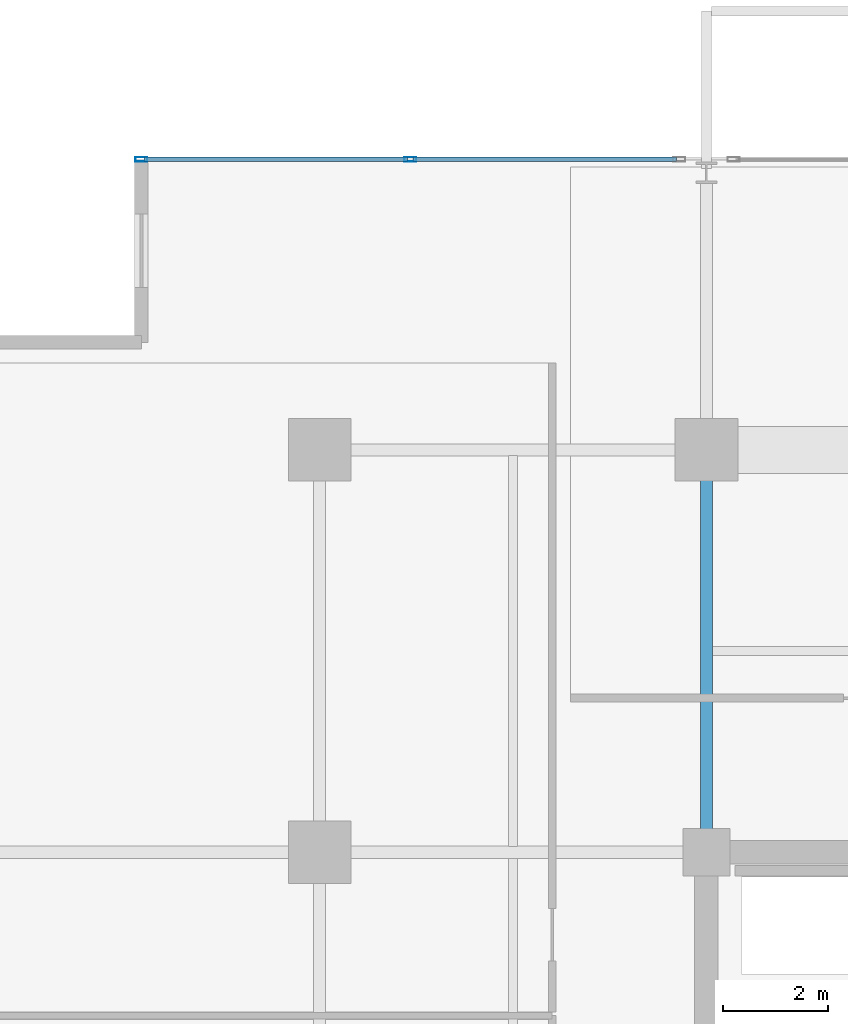
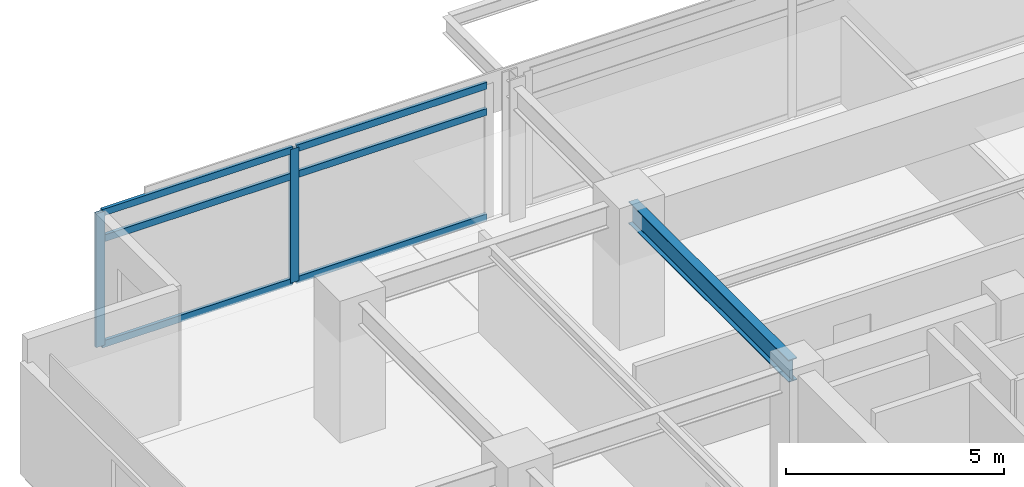
# One storey, part 7 of 20: 8 members, 1 beam, 1 element without a shape of its own.
"""IFC4 building model written with IfcOpenShell, lengths in metres."""

import ifcopenshell
import ifcopenshell.guid

model = None  # the IFC model being written
_history = None  # IfcOwnerHistory: only IFC2X3 demands one
_inside = {}  # id of a spatial element -> (the spatial element, [elements in it])
_under = {}  # id of a project, library or spatial element -> (it, [spatial elements below it])
_declared = {}  # id of a project -> (the project, [libraries it declares])
_typed = {}  # id of a type object -> (the type object, [elements of that type])
_made_of = {}  # id of a material, layer set ... -> (it, [elements and type objects made of it])


def new_model(schema):
    """Start an empty IFC model of exactly this schema.

    Asked for "IFC4X3", IfcOpenShell would pick the latest addendum, in which some entities
    have other attributes; the version numbers below select the first issue.
    IFC2X3 requires an IfcOwnerHistory on every rooted entity: one is made here for all.
    """
    global model, _history
    if schema == "IFC4X3":
        model = ifcopenshell.file(schema_version=(4, 3, 0, 0))
    else:
        model = ifcopenshell.file(schema=schema)
    _inside.clear()
    _under.clear()
    _declared.clear()
    _typed.clear()
    _made_of.clear()
    _history = None
    if model.schema == "IFC2X3":
        org = make("IfcOrganization", Name="unknown")
        user = make(
            "IfcPersonAndOrganization",
            ThePerson=make("IfcPerson", FamilyName="unknown"),
            TheOrganization=org,
        )
        app = make(
            "IfcApplication",
            ApplicationDeveloper=org,
            Version="unknown",
            ApplicationFullName="unknown",
            ApplicationIdentifier="unknown",
        )
        _history = make(
            "IfcOwnerHistory",
            OwningUser=user,
            OwningApplication=app,
            ChangeAction="ADDED",
            CreationDate=0,
        )
    return model


def make(cls, **values):
    """One entity of the class cls with the attributes given. An attribute that is None is left unset."""
    return model.create_entity(
        cls, **{name: value for name, value in values.items() if value is not None}
    )


def rooted(cls, **values):
    """An entity with a GlobalId (a new one), such as an element, a storey or a relation."""
    return make(cls, GlobalId=ifcopenshell.guid.new(), OwnerHistory=_history, **values)


def si_unit(unit_type, name, prefix=None):
    """IfcSIUnit, for example si_unit("LENGTHUNIT", "METRE", prefix="MILLI")."""
    return make("IfcSIUnit", UnitType=unit_type, Prefix=prefix, Name=name)


def assignment(units):
    """IfcUnitAssignment: the units of a project."""
    return None if units is None else make("IfcUnitAssignment", Units=units)


def point(xyz):
    """IfcCartesianPoint."""
    return None if xyz is None else make("IfcCartesianPoint", Coordinates=xyz)


def direction(xyz):
    """IfcDirection."""
    return None if xyz is None else make("IfcDirection", DirectionRatios=xyz)


def frame(location, z_axis=None, x_axis=None):
    """IfcAxis2Placement3D, a coordinate frame: its origin and axes. An axis left out is left unset."""
    return make(
        "IfcAxis2Placement3D",
        Location=point(location),
        Axis=direction(z_axis),
        RefDirection=direction(x_axis),
    )


def frame_2d(location, x_axis=None):
    """IfcAxis2Placement2D, a coordinate frame in the plane: its origin and x axis."""
    return make(
        "IfcAxis2Placement2D", Location=point(location), RefDirection=direction(x_axis)
    )


def origin():
    """The frame at (0, 0, 0) with its axes left unset."""
    return frame((0.0, 0.0, 0.0))


def origin_2d():
    """The frame at (0, 0) in the plane with its x axis left unset."""
    return frame_2d((0.0, 0.0))


def place(relative_to, where):
    """IfcLocalPlacement: puts the frame where relative to a parent placement (None: the world)."""
    return make(
        "IfcLocalPlacement", PlacementRelTo=relative_to, RelativePlacement=where
    )


def context(
    kind, dimensions, precision=None, world=None, true_north=None, identifier=None
):
    """IfcGeometricRepresentationContext, for example the 3D "Model" context."""
    return make(
        "IfcGeometricRepresentationContext",
        ContextIdentifier=identifier,
        ContextType=kind,
        CoordinateSpaceDimension=dimensions,
        Precision=precision,
        WorldCoordinateSystem=world,
        TrueNorth=true_north,
    )


def subcontext(parent, identifier, kind, view, scale=None):
    """IfcGeometricRepresentationSubContext, for example "Body" below "Model"."""
    return make(
        "IfcGeometricRepresentationSubContext",
        ContextIdentifier=identifier,
        ContextType=kind,
        ParentContext=parent,
        TargetScale=scale,
        TargetView=view,
    )


def project(units=None, contexts=None):
    """IfcProject with its units and contexts."""
    return rooted(
        "IfcProject",
        Name="project",
        RepresentationContexts=contexts,
        UnitsInContext=assignment(units),
    )


def spatial(cls, under=None, at=None, **own):
    """A site, building, storey or space (cls), placed at a placement, below another one or the project."""
    s = rooted(cls, ObjectPlacement=at, **own)
    if under is not None:
        _under.setdefault(under.id(), (under, []))[1].append(s)
    return s


def profile(cls, at=None, kind="AREA", **sizes):
    """A parametric profile (cls). Its sizes go by their IFC names, for example OverallWidth=200.0."""
    return make(cls, ProfileType=kind, Position=at, **sizes)


def hollow_rectangle(**sizes):
    """IfcRectangleHollowProfileDef."""
    return profile("IfcRectangleHollowProfileDef", **sizes)


def i_section(**sizes):
    """IfcIShapeProfileDef."""
    return profile("IfcIShapeProfileDef", **sizes)


def extrude(swept, where, along, depth):
    """IfcExtrudedAreaSolid: the profile swept, set in the frame where, extruded along a direction by depth."""
    return make(
        "IfcExtrudedAreaSolid",
        SweptArea=swept,
        Position=where,
        ExtrudedDirection=direction(along),
        Depth=depth,
    )


def shape(context_of_items, identifier, shape_type, items):
    """IfcShapeRepresentation: the items that make up one representation, for example the "Body"."""
    return make(
        "IfcShapeRepresentation",
        ContextOfItems=context_of_items,
        RepresentationIdentifier=identifier,
        RepresentationType=shape_type,
        Items=items,
    )


def material(Name=None, Category=None):
    """IfcMaterial."""
    return make("IfcMaterial", Name=Name, Category=Category)


def material_profile(
    of_material, cross_section, Name=None, Category=None, Priority=None
):
    """IfcMaterialProfile: a cross section and its material."""
    return make(
        "IfcMaterialProfile",
        Name=Name,
        Material=of_material,
        Profile=cross_section,
        Priority=Priority,
        Category=Category,
    )


def profile_set(profiles, Name=None, composite=None):
    """IfcMaterialProfileSet."""
    return make(
        "IfcMaterialProfileSet",
        Name=Name,
        MaterialProfiles=profiles,
        CompositeProfile=composite,
    )


def made_of(thing, what):
    """Note that an element or type object is made of a material, layer set ...; save() writes the relation."""
    if what is not None:
        _made_of.setdefault(what.id(), (what, []))[1].append(thing)
    return thing


def type_object(cls, material=None, **own):
    """A type object (cls), such as IfcWallType, which elements share."""
    return made_of(rooted(cls, **own), material)


def element(
    cls,
    number,
    at=None,
    inside=None,
    cuts=None,
    type_object=None,
    material=None,
    context=None,
    identifier="Body",
    shape_type=None,
    held_by="IfcProductDefinitionShape",
    body=None,
    shapes=None,
    **own,
):
    """One element of the class cls, such as IfcWall. Its Tag is "e" and its number.

    at: its placement. inside: the storey or other place that contains it. cuts: it is an
    opening in that element (IfcRelVoidsElement). A single representation is given by context,
    identifier, shape_type and body (its items); several are given by shapes. held_by: the class
    of the entity that holds the representations. save() writes the other relations.
    """
    e = rooted(cls, Tag="e%d" % number, ObjectPlacement=at, **own)
    if body is not None:
        shapes = [shape(context, identifier, shape_type, body)]
    if shapes is not None:
        e.Representation = make(held_by, Representations=shapes)
    if inside is not None:
        _inside.setdefault(inside.id(), (inside, []))[1].append(e)
    if cuts is not None:
        rooted(
            "IfcRelVoidsElement", RelatingBuildingElement=cuts, RelatedOpeningElement=e
        )
    if type_object is not None:
        _typed.setdefault(type_object.id(), (type_object, []))[1].append(e)
    return made_of(e, material)


def aggregate(whole, parts):
    """IfcRelAggregates: a whole, such as a stair, and the parts it consists of."""
    return rooted("IfcRelAggregates", RelatingObject=whole, RelatedObjects=parts)


def save(model, path):
    """Write the relations noted so far, then the file.

    IfcRelAggregates (storeys below a building ...), IfcRelContainedInSpatialStructure (elements
    in a storey), IfcRelDefinesByType, IfcRelAssociatesMaterial and IfcRelDeclares: one each for
    every whole, place, type object, material and project.
    """
    for whole, parts in _under.values():
        aggregate(whole, parts)
    for where, things in _inside.values():
        rooted(
            "IfcRelContainedInSpatialStructure",
            RelatedElements=things,
            RelatingStructure=where,
        )
    for kind, things in _typed.values():
        rooted("IfcRelDefinesByType", RelatedObjects=things, RelatingType=kind)
    for what, things in _made_of.values():
        rooted("IfcRelAssociatesMaterial", RelatedObjects=things, RelatingMaterial=what)
    for by, libraries in _declared.values():
        rooted("IfcRelDeclares", RelatingContext=by, RelatedDefinitions=libraries)
    model.write(path)


model = new_model("IFC4")

# Units and contexts
model_context = context("Model", 3, precision=1e-05, world=origin(), true_north=direction((0.0, 1.0)))
body_context = subcontext(model_context, "Body", "Model", "MODEL_VIEW")
ifc_project = project(units=[si_unit("LENGTHUNIT", "METRE"), si_unit("AREAUNIT", "SQUARE_METRE"), si_unit("VOLUMEUNIT", "CUBIC_METRE"), si_unit("PLANEANGLEUNIT", "RADIAN"), si_unit("MASSUNIT", "GRAM", prefix="KILO")], contexts=[model_context])

# Site, building, storey
site_placement = place(None, origin())
site = spatial("IfcSite", under=ifc_project, at=site_placement, CompositionType="ELEMENT")
building_placement = place(site_placement, origin())
building = spatial("IfcBuilding", under=site, at=building_placement, Name="Kovane Verandah Tower", CompositionType="ELEMENT")
storey_placement = place(building_placement, frame((0.0, 0.0, 279.199951171875)))
storey = spatial("IfcBuildingStorey", under=building, at=storey_placement, Name="L65", CompositionType="ELEMENT", Elevation=279.199951171875)

# Beam
ifc_material_1 = material(Name="Steel S355", Category="steel")
ifc_material_profile_1 = material_profile(ifc_material_1, i_section(OverallWidth=0.230224609375, OverallDepth=0.6171875, WebThickness=0.01318359375, FlangeThickness=0.022216796875, FilletRadius=0.0126953125, at=origin_2d()), Name="UB610x229x140")
ifc_profile_set_1 = profile_set([ifc_material_profile_1], Name="Steel S355")
beam_type = type_object("IfcBeamType", Name="BM-UB610x140", PredefinedType="BEAM", material=ifc_profile_set_1)
beam_placement = place(storey_placement, frame((29.0, 36.679931640625, 3.4765625), z_axis=(0.0, 1.0, 0.0), x_axis=(-1.0, 0.0, 0.0)))
element("IfcBeam", 1, at=beam_placement, inside=storey, type_object=beam_type, Name="L65 Primary Tower Girder G-N1", PredefinedType="BEAM", context=body_context, shape_type="SweptSolid", body=[
    extrude(i_section(OverallWidth=0.230224609375, OverallDepth=0.6171875, WebThickness=0.01318359375, FlangeThickness=0.022216796875, FilletRadius=0.0126953125, at=origin_2d()), origin(), (0.0, 0.0, 1.0), 7.340087890625),
])

# Curtain wall, members
ifc_material_2 = material(Name="Champagne Anodised Aluminium Frame with Low-E Clear Laminated Glass", Category="aluminium")
curtain_wall_type = type_object("IfcCurtainWallType", Name="CW-SYS-05-HIGH", PredefinedType="NOTDEFINED", material=ifc_material_2)
curtain_wall_placement = place(storey_placement, origin())
curtain_wall = element("IfcCurtainWall", 2, at=curtain_wall_placement, inside=storey, type_object=curtain_wall_type, Name="L65 N Unitised Curtain Wall-3", PredefinedType="NOTDEFINED")
ifc_material_3 = material(Name="Champagne Anodised Aluminium 6063-T6", Category="aluminium")
ifc_material_profile_2 = material_profile(ifc_material_3, hollow_rectangle(XDim=0.0849609375, YDim=0.22998046875, WallThickness=0.00390625, at=origin_2d()), Name="AL85x230x4")
ifc_profile_set_2 = profile_set([ifc_material_profile_2], Name="Champagne Anodised Aluminium 6063-T6")
member_type_1 = type_object("IfcMemberType", Name="CW-MUL-85x230", PredefinedType="MULLION", material=ifc_profile_set_2)
member_1_placement = place(storey_placement, frame((23.335205078125, 49.75634765625, 0.02001953125), z_axis=(0.0, 0.0, 1.0), x_axis=(0.0, 1.0, 0.0)))
member_1 = element("IfcMember", 3, at=member_1_placement, type_object=member_type_1, Name="L65 N Unitised Curtain Wall-3 Mullion 2", PredefinedType="MULLION", context=body_context, shape_type="SweptSolid", body=[
    extrude(hollow_rectangle(XDim=0.0849609375, YDim=0.22998046875, WallThickness=0.00390625, at=origin_2d()), origin(), (0.0, 0.0, 1.0), 3.7451171875),
])
member_2_placement = place(storey_placement, frame((18.190185546875, 49.75634765625, 0.02001953125), z_axis=(0.0, 0.0, 1.0), x_axis=(0.0, 1.0, 0.0)))
member_2 = element("IfcMember", 4, at=member_2_placement, type_object=member_type_1, Name="L65 N Unitised Curtain Wall-3 Mullion 3", PredefinedType="MULLION", context=body_context, shape_type="SweptSolid", body=[
    extrude(hollow_rectangle(XDim=0.0849609375, YDim=0.22998046875, WallThickness=0.00390625, at=origin_2d()), origin(), (0.0, 0.0, 1.0), 3.7451171875),
])
ifc_material_profile_3 = material_profile(ifc_material_3, hollow_rectangle(XDim=0.0849609375, YDim=0.18994140625, WallThickness=0.00390625, at=origin_2d()), Name="AL85x190x4")
ifc_profile_set_3 = profile_set([ifc_material_profile_3], Name="Champagne Anodised Aluminium 6063-T6")
member_type_2 = type_object("IfcMemberType", Name="CW-TRN-85x190", PredefinedType="USERDEFINED", material=ifc_profile_set_3)
member_3_placement = place(storey_placement, frame((28.429931640625, 49.75634765625, 0.050048828125), z_axis=(-1.0, 0.0, 0.0), x_axis=(0.0, -1.0, 0.0)))
member_3 = element("IfcMember", 5, at=member_3_placement, type_object=member_type_2, Name="L65 N Unitised Curtain Wall-3 Transom TB Bay 1", ObjectType="TRANSOM", PredefinedType="USERDEFINED", context=body_context, shape_type="SweptSolid", body=[
    extrude(hollow_rectangle(XDim=0.0849609375, YDim=0.18994140625, WallThickness=0.00390625, at=origin_2d()), origin(), (0.0, 0.0, 1.0), 5.044921875),
])
member_4_placement = place(storey_placement, frame((28.429931640625, 49.75634765625, 3.005126953125), z_axis=(-1.0, 0.0, 0.0), x_axis=(0.0, -1.0, 0.0)))
member_4 = element("IfcMember", 6, at=member_4_placement, type_object=member_type_2, Name="L65 N Unitised Curtain Wall-3 Transom TM Bay 1", ObjectType="TRANSOM", PredefinedType="USERDEFINED", context=body_context, shape_type="SweptSolid", body=[
    extrude(hollow_rectangle(XDim=0.0849609375, YDim=0.18994140625, WallThickness=0.00390625, at=origin_2d()), origin(), (0.0, 0.0, 1.0), 5.044921875),
])
member_5_placement = place(storey_placement, frame((28.429931640625, 49.75634765625, 3.735107421875), z_axis=(-1.0, 0.0, 0.0), x_axis=(0.0, -1.0, 0.0)))
member_5 = element("IfcMember", 7, at=member_5_placement, type_object=member_type_2, Name="L65 N Unitised Curtain Wall-3 Transom TT Bay 1", ObjectType="TRANSOM", PredefinedType="USERDEFINED", context=body_context, shape_type="SweptSolid", body=[
    extrude(hollow_rectangle(XDim=0.0849609375, YDim=0.18994140625, WallThickness=0.00390625, at=origin_2d()), origin(), (0.0, 0.0, 1.0), 5.044921875),
])
member_6_placement = place(storey_placement, frame((23.28515625, 49.75634765625, 0.050048828125), z_axis=(-1.0, 0.0, 0.0), x_axis=(0.0, -1.0, 0.0)))
member_6 = element("IfcMember", 8, at=member_6_placement, type_object=member_type_2, Name="L65 N Unitised Curtain Wall-3 Transom TB Bay 2", ObjectType="TRANSOM", PredefinedType="USERDEFINED", context=body_context, shape_type="SweptSolid", body=[
    extrude(hollow_rectangle(XDim=0.0849609375, YDim=0.18994140625, WallThickness=0.00390625, at=origin_2d()), origin(), (0.0, 0.0, 1.0), 5.044921875),
])
member_7_placement = place(storey_placement, frame((23.28515625, 49.75634765625, 3.005126953125), z_axis=(-1.0, 0.0, 0.0), x_axis=(0.0, -1.0, 0.0)))
member_7 = element("IfcMember", 9, at=member_7_placement, type_object=member_type_2, Name="L65 N Unitised Curtain Wall-3 Transom TM Bay 2", ObjectType="TRANSOM", PredefinedType="USERDEFINED", context=body_context, shape_type="SweptSolid", body=[
    extrude(hollow_rectangle(XDim=0.0849609375, YDim=0.18994140625, WallThickness=0.00390625, at=origin_2d()), origin(), (0.0, 0.0, 1.0), 5.044921875),
])
member_8_placement = place(storey_placement, frame((23.28515625, 49.75634765625, 3.735107421875), z_axis=(-1.0, 0.0, 0.0), x_axis=(0.0, -1.0, 0.0)))
member_8 = element("IfcMember", 10, at=member_8_placement, type_object=member_type_2, Name="L65 N Unitised Curtain Wall-3 Transom TT Bay 2", ObjectType="TRANSOM", PredefinedType="USERDEFINED", context=body_context, shape_type="SweptSolid", body=[
    extrude(hollow_rectangle(XDim=0.0849609375, YDim=0.18994140625, WallThickness=0.00390625, at=origin_2d()), origin(), (0.0, 0.0, 1.0), 5.044921875),
])
aggregate(curtain_wall, [member_1, member_2, member_3, member_4, member_5, member_6, member_7, member_8])

save(model, "model.ifc")
